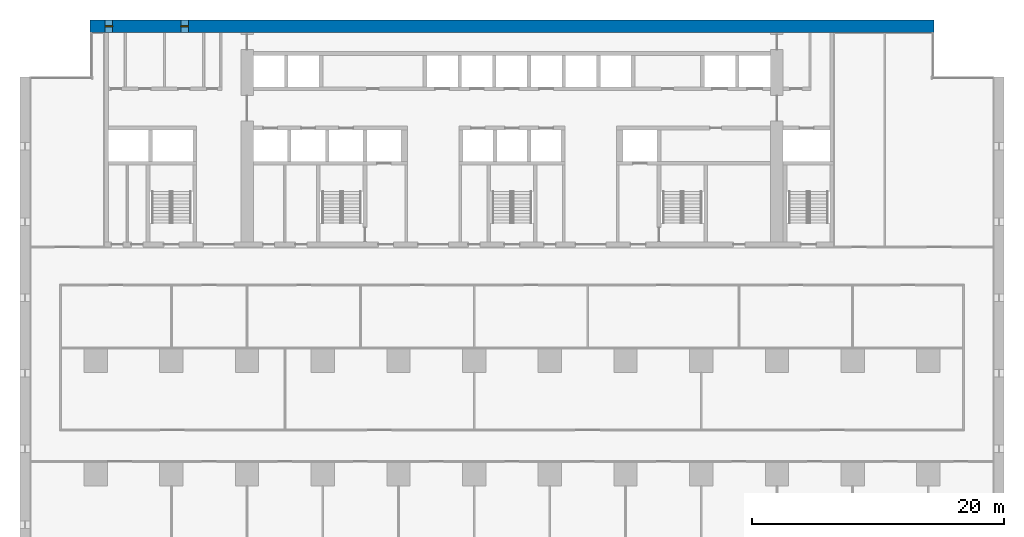
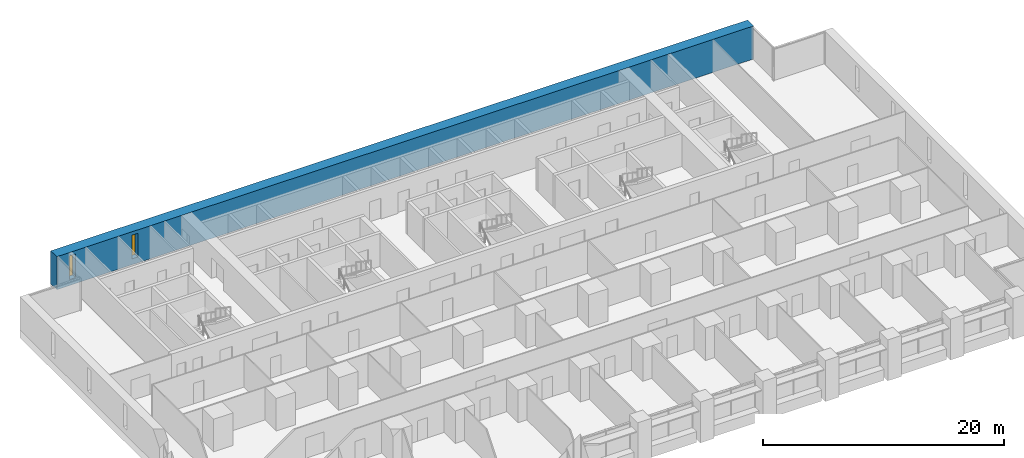
# One storey, part 12 of 18: 2 windows, 1 wall, 2 openings.
"""IFC4 building model written with IfcOpenShell, lengths in metres."""

from ifc_helpers import new_model, si_unit, direction, frame, frame_2d, origin, place, context, subcontext, project, spatial, rectangle, extrude, material, layer, layer_set, type_object, element, fill, save


model = new_model("IFC4")

# Units and contexts
model_context = context("Model", 3, precision=1e-05, world=origin(), true_north=direction((0.0, 1.0)))
body_context = subcontext(model_context, "Body", "Model", "MODEL_VIEW")
ifc_project = project(units=[si_unit("LENGTHUNIT", "METRE"), si_unit("AREAUNIT", "SQUARE_METRE"), si_unit("VOLUMEUNIT", "CUBIC_METRE"), si_unit("PLANEANGLEUNIT", "RADIAN"), si_unit("MASSUNIT", "GRAM", prefix="KILO")], contexts=[model_context])

# Site, building, storey
site_placement = place(None, origin())
site = spatial("IfcSite", under=ifc_project, at=site_placement, CompositionType="ELEMENT")
building_placement = place(site_placement, origin())
building = spatial("IfcBuilding", under=site, at=building_placement, Name="Calvaro Tower", CompositionType="ELEMENT")
storey_placement = place(building_placement, frame((0.0, 0.0, 22.5)))
storey = spatial("IfcBuildingStorey", under=building, at=storey_placement, Name="L04", CompositionType="ELEMENT", Elevation=22.5)

# Wall, openings, windows
ifc_material_1 = material(Name="Concrete C80/95", Category="concrete")
ifc_layer = layer(ifc_material_1, 1.0)
ifc_layer_set = layer_set([ifc_layer], Name="Concrete C80/95")
wall_type = type_object("IfcWallType", Name="Rear core wall 1000 C80/95", PredefinedType="SHEAR", material=ifc_layer_set)
wall_placement = place(storey_placement, frame((5.550048828125, 45.5, 0.0), z_axis=(0.0, 0.0, 1.0), x_axis=(1.0, 0.0, 0.0)))
wall = element("IfcWall", 1, at=wall_placement, inside=storey, type_object=wall_type, Name="North core wall", PredefinedType="SHEAR", context=body_context, shape_type="SweptSolid", body=[
    extrude(rectangle(XDim=66.89990234375, YDim=1.0, at=frame_2d((33.449951171875, 0.0))), origin(), (0.0, 0.0, 1.0), 3.35009765625),
])
opening_1_placement = place(wall_placement, frame((1.199951171875, 0.0, 0.60009765625)))
opening_1 = element("IfcOpeningElement", 2, at=opening_1_placement, cuts=wall, Name="Opening WN01", PredefinedType="OPENING", context=body_context, shape_type="SweptSolid", body=[
    extrude(rectangle(XDim=0.60009765625, YDim=2.39990234375, at=frame_2d((0.300048828125, 1.199951171875))), frame((0.0, 0.510009765625, 0.0), z_axis=(0.0, -1.0, 0.0), x_axis=(1.0, 0.0, 0.0)), (0.0, 0.0, 1.0), 1.02001953125),
])
opening_2_placement = place(wall_placement, frame((7.199951171875, 0.0, 0.60009765625)))
opening_2 = element("IfcOpeningElement", 3, at=opening_2_placement, cuts=wall, Name="Opening WN02", PredefinedType="OPENING", context=body_context, shape_type="SweptSolid", body=[
    extrude(rectangle(XDim=0.60009765625, YDim=2.39990234375, at=frame_2d((0.300048828125, 1.199951171875))), frame((0.0, 0.510009765625, 0.0), z_axis=(0.0, -1.0, 0.0), x_axis=(1.0, 0.0, 0.0)), (0.0, 0.0, 1.0), 1.02001953125),
])
ifc_material_2 = material(Name="Glass", Category="glass")
window_type = type_object("IfcWindowType", Name="Slit window 600 x 2400", PartitioningType="SINGLE_PANEL", PredefinedType="WINDOW", material=ifc_material_2)
window_1_placement = place(opening_1_placement, origin())
window_1 = element("IfcWindow", 4, at=window_1_placement, inside=storey, type_object=window_type, Name="Window WN01", OverallHeight=2.39990234375, OverallWidth=0.60009765625, PartitioningType="SINGLE_PANEL", PredefinedType="WINDOW", context=body_context, shape_type="SweptSolid", body=[
    extrude(rectangle(XDim=0.60009765625, YDim=2.39990234375, at=frame_2d((0.300048828125, 1.199951171875))), frame((0.0, 0.030029296875, 0.0), z_axis=(0.0, -1.0, 0.0), x_axis=(1.0, 0.0, 0.0)), (0.0, 0.0, 1.0), 0.06005859375),
])
fill(opening_1, window_1)
window_2_placement = place(opening_2_placement, origin())
window_2 = element("IfcWindow", 5, at=window_2_placement, inside=storey, type_object=window_type, Name="Window WN02", OverallHeight=2.39990234375, OverallWidth=0.60009765625, PartitioningType="SINGLE_PANEL", PredefinedType="WINDOW", context=body_context, shape_type="SweptSolid", body=[
    extrude(rectangle(XDim=0.60009765625, YDim=2.39990234375, at=frame_2d((0.300048828125, 1.199951171875))), frame((0.0, 0.030029296875, 0.0), z_axis=(0.0, -1.0, 0.0), x_axis=(1.0, 0.0, 0.0)), (0.0, 0.0, 1.0), 0.06005859375),
])
fill(opening_2, window_2)

save(model, "model.ifc")
